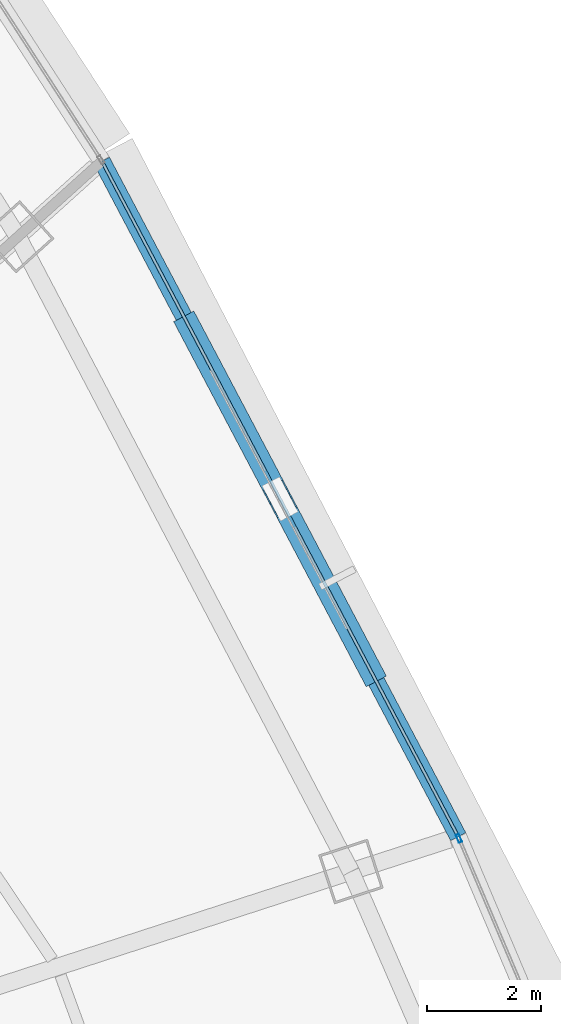
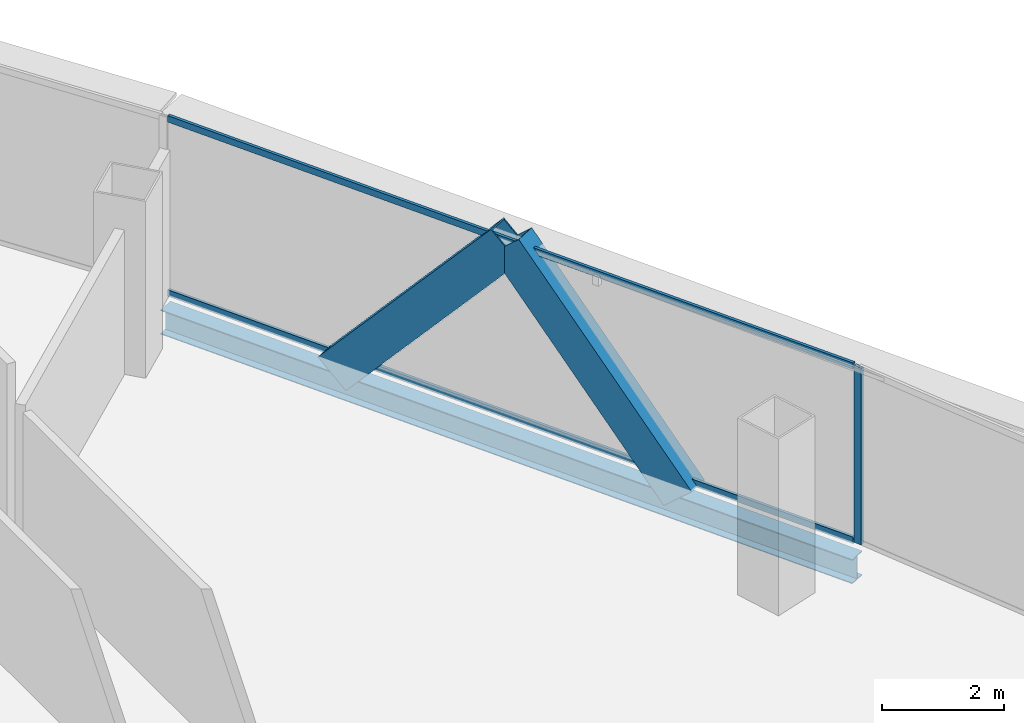
# One storey, part 26 of 37: 5 members, 1 beam, 2 elements without a shape of their own.
"""IFC4 building model written with IfcOpenShell, lengths in metres."""

from ifc_helpers import new_model, si_unit, direction, frame, origin, origin_2d, place, context, subcontext, project, spatial, hollow_rectangle, i_section, extrude, source, transform, mapped, material, layer, layer_set, material_profile, profile_set, type_object, element, aggregate, save


model = new_model("IFC4")

# Units and contexts
model_context = context("Model", 3, precision=1e-05, world=origin(), true_north=direction((0.0, 1.0)))
body_context = subcontext(model_context, "Body", "Model", "MODEL_VIEW")
ifc_project = project(units=[si_unit("LENGTHUNIT", "METRE"), si_unit("AREAUNIT", "SQUARE_METRE"), si_unit("VOLUMEUNIT", "CUBIC_METRE"), si_unit("PLANEANGLEUNIT", "RADIAN"), si_unit("MASSUNIT", "GRAM", prefix="KILO"), si_unit("THERMODYNAMICTEMPERATUREUNIT", "KELVIN"), si_unit("POWERUNIT", "WATT")], contexts=[model_context])

# Site, building, storey
site_placement = place(None, origin())
site = spatial("IfcSite", under=ifc_project, at=site_placement, CompositionType="ELEMENT")
building_placement = place(site_placement, origin())
building = spatial("IfcBuilding", under=site, at=building_placement, Name="Yunzhuo Pagoda Commons", CompositionType="ELEMENT")
storey_placement = place(building_placement, frame((0.0, 0.0, 196.159912109375)))
storey = spatial("IfcBuildingStorey", under=building, at=storey_placement, Name="L49", CompositionType="ELEMENT", Elevation=196.159912109375)

# Beam
ifc_material_1 = material(Name="Structural steel Q355B", Category="steel")
ifc_material_profile_1 = material_profile(ifc_material_1, i_section(OverallWidth=0.300048828125, OverallDepth=0.488037109375, WebThickness=0.010986328125, FlangeThickness=0.01806640625, at=origin_2d()), Name="Structural steel Q355B")
ifc_profile_set_1 = profile_set([ifc_material_profile_1], Name="Structural steel Q355B")
beam_type = type_object("IfcBeamType", Name="B-SP1 Beam HM 488x300x11x18", PredefinedType="BEAM", material=ifc_profile_set_1)
shared_shape_1 = source(origin(), body_context, "Body", "SweptSolid", [
    extrude(i_section(OverallWidth=0.300048828125, OverallDepth=0.488037109375, WebThickness=0.010986328125, FlangeThickness=0.01806640625, at=origin_2d()), origin(), (0.0, 0.0, 1.0), 13.399658203125),
])
beam_placement = place(storey_placement, frame((78.376220703125, 43.56982421875, -0.50390625), z_axis=(-0.466573749972, 0.884482298204, 0.0), x_axis=(-0.884482298204, -0.466573749972, 0.0)))
element("IfcBeam", 1, at=beam_placement, inside=storey, type_object=beam_type, Name="L49 facade edge spandrel beam F2.2", PredefinedType="BEAM", context=body_context, shape_type="MappedRepresentation", body=[
    mapped(shared_shape_1, transform((0.0, 0.0, 0.0), scale=1.0)),
])

# Members
ifc_material_profile_2 = material_profile(ifc_material_1, hollow_rectangle(XDim=0.39990234375, YDim=0.719970703125, WallThickness=0.02392578125, at=origin_2d()), Name="Structural steel Q355B")
ifc_profile_set_2 = profile_set([ifc_material_profile_2], Name="Structural steel Q355B")
member_type_1 = type_object("IfcMemberType", Name="M-DL2 Brace BOX 720x400x24", PredefinedType="BRACE", material=ifc_profile_set_2)
shared_shape_2 = source(origin(), body_context, "Body", "SweptSolid", [
    extrude(hollow_rectangle(XDim=0.39990234375, YDim=0.719970703125, WallThickness=0.02392578125, at=origin_2d()), origin(), (0.0, 0.0, 1.0), 5.065673828125),
])
member_1_placement = place(storey_placement, frame((73.687255859375, 52.45849609375, -0.260009765625), z_axis=(0.30854783788, -0.584852860461, 0.750163557732), x_axis=(0.884462464322, 0.466611347061, 0.0)))
element("IfcMember", 2, at=member_1_placement, inside=storey, type_object=member_type_1, Name="L49 facade diamond brace F2.2R", PredefinedType="BRACE", context=body_context, shape_type="MappedRepresentation", body=[
    mapped(shared_shape_2, transform((0.0, 0.0, 0.0), scale=1.0)),
])
shared_shape_3 = source(origin(), body_context, "Body", "SweptSolid", [
    extrude(hollow_rectangle(XDim=0.39990234375, YDim=0.719970703125, WallThickness=0.02392578125, at=origin_2d()), origin(), (0.0, 0.0, 1.0), 5.06591796875),
])
member_2_placement = place(storey_placement, frame((76.813232421875, 46.53271484375, -0.260009765625), z_axis=(-0.308530443658, 0.584916275331, 0.750121267655), x_axis=(-0.884494196233, -0.466551194223, 0.0)))
element("IfcMember", 3, at=member_2_placement, inside=storey, type_object=member_type_1, Name="L49 facade diamond brace F2.2L", PredefinedType="BRACE", context=body_context, shape_type="MappedRepresentation", body=[
    mapped(shared_shape_3, transform((0.0, 0.0, 0.0), scale=1.0)),
])

# Curtain wall, member
ifc_material_2 = material(Name="Anodized aluminium 6063-T6", Category="aluminium")
ifc_layer = layer(ifc_material_2, 0.14990234375)
ifc_layer_set = layer_set([ifc_layer], Name="Anodized aluminium 6063-T6")
curtain_wall_type = type_object("IfcCurtainWallType", Name="CW-MID Mid-Zone Ribbon Curtain Wall", PredefinedType="NOTDEFINED", material=ifc_layer_set)
curtain_wall_1_placement = place(storey_placement, origin())
curtain_wall_1 = element("IfcCurtainWall", 4, at=curtain_wall_1_placement, inside=storey, type_object=curtain_wall_type, Name="L49 curtain wall CW-L49-F2B2", PredefinedType="NOTDEFINED")
ifc_material_profile_3 = material_profile(ifc_material_2, hollow_rectangle(XDim=0.06005859375, YDim=0.14990234375, WallThickness=0.00390625, at=origin_2d()), Name="Anodized aluminium 6063-T6")
ifc_profile_set_3 = profile_set([ifc_material_profile_3], Name="Anodized aluminium 6063-T6")
member_type_2 = type_object("IfcMemberType", Name="CW-MID-M Mullion RHS 150x60x4", PredefinedType="MULLION", material=ifc_profile_set_3)
shared_shape_4 = source(origin(), body_context, "Body", "SweptSolid", [
    extrude(hollow_rectangle(XDim=0.06005859375, YDim=0.14990234375, WallThickness=0.00390625, at=origin_2d()), origin(), (0.0, 0.0, 1.0), 3.5400390625),
])
member_3_placement = place(storey_placement, frame((78.38818359375, 43.542236328125, 0.0), z_axis=(0.0, 0.0, 1.0), x_axis=(-0.920666607247, -0.390349840912, 0.0)))
member_3 = element("IfcMember", 5, at=member_3_placement, type_object=member_type_2, Name="CW mullion 2", PredefinedType="MULLION", context=body_context, shape_type="MappedRepresentation", body=[
    mapped(shared_shape_4, transform((0.0, 0.0, 0.0), scale=1.0)),
])
aggregate(curtain_wall_1, [member_3])

# Curtain wall, members
curtain_wall_2_placement = place(storey_placement, origin())
curtain_wall_2 = element("IfcCurtainWall", 6, at=curtain_wall_2_placement, inside=storey, type_object=curtain_wall_type, Name="L49 curtain wall CW-L49-F2B3", PredefinedType="NOTDEFINED")
ifc_material_profile_4 = material_profile(ifc_material_2, hollow_rectangle(XDim=0.054931640625, YDim=0.1298828125, WallThickness=0.00341796875, at=origin_2d()), Name="Anodized aluminium 6063-T6")
ifc_profile_set_4 = profile_set([ifc_material_profile_4], Name="Anodized aluminium 6063-T6")
member_type_3 = type_object("IfcMemberType", Name="CW-MID-T Transom RHS 130x55x3.5", PredefinedType="USERDEFINED", material=ifc_profile_set_4)
shared_shape_5 = source(origin(), body_context, "Body", "SweptSolid", [
    extrude(hollow_rectangle(XDim=0.054931640625, YDim=0.1298828125, WallThickness=0.00341796875, at=origin_2d()), origin(), (0.0, 0.0, 1.0), 13.280029296875),
])
member_4_placement = place(storey_placement, frame((78.348388671875, 43.622802734375, 0.027587890625), z_axis=(-0.46657288103, 0.88448275658, 0.0), x_axis=(-0.88448275658, -0.46657288103, 0.0)))
member_4 = element("IfcMember", 7, at=member_4_placement, type_object=member_type_3, Name="CW transom 1.1", ObjectType="TRANSOM", PredefinedType="USERDEFINED", context=body_context, shape_type="MappedRepresentation", body=[
    mapped(shared_shape_5, transform((0.0, 0.0, 0.0), scale=1.0)),
])
member_5_placement = place(storey_placement, frame((78.348388671875, 43.622802734375, 3.5126953125), z_axis=(-0.46657288103, 0.88448275658, 0.0), x_axis=(-0.88448275658, -0.46657288103, 0.0)))
member_5 = element("IfcMember", 8, at=member_5_placement, type_object=member_type_3, Name="CW transom 1.2", ObjectType="TRANSOM", PredefinedType="USERDEFINED", context=body_context, shape_type="MappedRepresentation", body=[
    mapped(shared_shape_5, transform((0.0, 0.0, 0.0), scale=1.0)),
])
aggregate(curtain_wall_2, [member_4, member_5])

save(model, "model.ifc")
